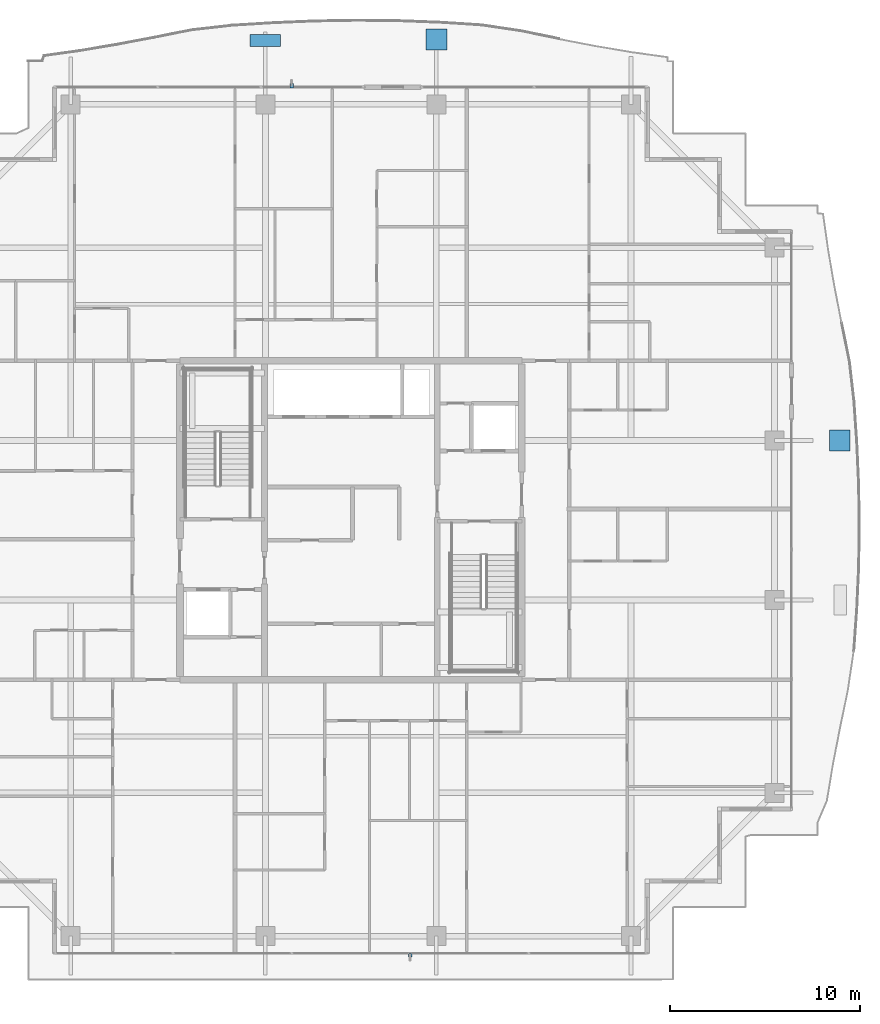
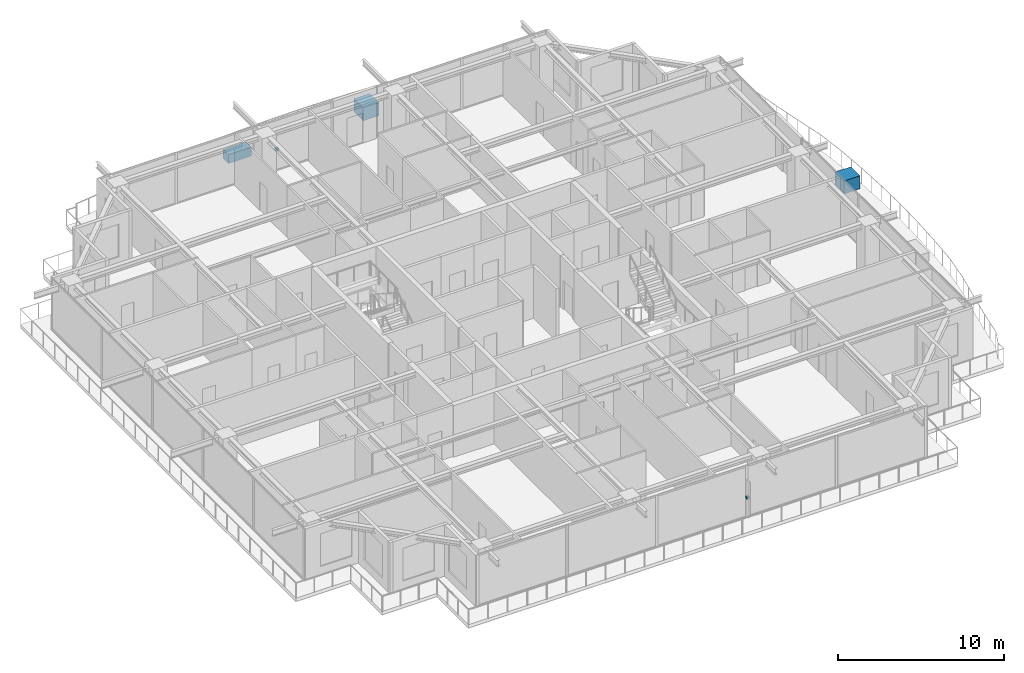
# One storey, part 33 of 40: 5 discrete accessories.
"""IFC4 building model written with IfcOpenShell, lengths in metres."""

from ifc_helpers import new_model, si_unit, direction, frame, origin, origin_2d, place, context, subcontext, project, spatial, rectangle, extrude, source, transform, mapped, material, type_object, element, save


model = new_model("IFC4")

# Units and contexts
model_context = context("Model", 3, precision=1e-05, world=origin(), true_north=direction((0.0, 1.0)))
body_context = subcontext(model_context, "Body", "Model", "MODEL_VIEW")
ifc_project = project(units=[si_unit("LENGTHUNIT", "METRE"), si_unit("AREAUNIT", "SQUARE_METRE"), si_unit("VOLUMEUNIT", "CUBIC_METRE"), si_unit("PLANEANGLEUNIT", "RADIAN"), si_unit("MASSUNIT", "GRAM", prefix="KILO")], contexts=[model_context])

# Site, building, storey
site_placement = place(None, origin())
site = spatial("IfcSite", under=ifc_project, at=site_placement, CompositionType="ELEMENT")
building_placement = place(site_placement, origin())
building = spatial("IfcBuilding", under=site, at=building_placement, Name="Serunith Strait Residences", CompositionType="ELEMENT")
storey_placement = place(building_placement, frame((0.0, 0.0, 313.699951171875)))
storey = spatial("IfcBuildingStorey", under=building, at=storey_placement, Name="L78", CompositionType="ELEMENT", Elevation=313.699951171875)

# Discrete accessories
ifc_material_1 = material(Name="GFRC Root-Anchored Structural Planter")
discrete_accessory_type_1 = type_object("IfcDiscreteAccessoryType", Name="ACC-PLANTER-TREE", PredefinedType="USERDEFINED", material=ifc_material_1)
shared_shape_1 = source(origin(), body_context, "Body", "SweptSolid", [
    extrude(rectangle(XDim=1.10009765625, YDim=1.10009765625, at=origin_2d()), origin(), (0.0, 0.0, 1.0), 0.949951171875),
])
for number, where, z_axis, x_axis, name in (
    (1, (36.89990234375, 50.5166015625, -0.0498046875), (0.0, 0.0, 1.0), (-1.0, 0.0, 0.0), "L78 Vertical-Forest Tree Planter 07"),
    (2, (58.135009765625, 29.39990234375, -0.0498046875), (0.0, 0.0, 1.0), (0.0, 1.0, 0.0), "L78 Vertical-Forest Tree Planter 11"),
):
    element("IfcDiscreteAccessory", number, at=place(storey_placement, frame(where, z_axis=z_axis, x_axis=x_axis)), inside=storey, type_object=discrete_accessory_type_1, Name=name, ObjectType="PLANTER", PredefinedType="USERDEFINED", context=body_context, shape_type="MappedRepresentation", body=[
        mapped(shared_shape_1, transform((0.0, 0.0, 0.0), scale=1.0)),
    ])
ifc_material_2 = material(Name="GFRC Irrigated Shrub Trough Planter")
discrete_accessory_type_2 = type_object("IfcDiscreteAccessoryType", Name="ACC-PLANTER-SHRUB", PredefinedType="USERDEFINED", material=ifc_material_2)
shared_shape_2 = source(origin(), body_context, "Body", "SweptSolid", [
    extrude(rectangle(XDim=1.60009765625, YDim=0.64990234375, at=origin_2d()), origin(), (0.0, 0.0, 1.0), 0.64990234375),
])
discrete_accessory_placement = place(storey_placement, frame((27.89990234375, 50.4619140625, -0.0498046875), z_axis=(0.0, 0.0, 1.0), x_axis=(-1.0, 0.0, 0.0)))
element("IfcDiscreteAccessory", 3, at=discrete_accessory_placement, inside=storey, type_object=discrete_accessory_type_2, Name="L78 Vertical-Forest Shrub Planter 06", ObjectType="PLANTER", PredefinedType="USERDEFINED", context=body_context, shape_type="MappedRepresentation", body=[
    mapped(shared_shape_2, transform((0.0, 0.0, 0.0), scale=1.0)),
])
ifc_material_3 = material(Name="Stainless Steel Facade Cleat Bracket", Category="steel")
discrete_accessory_type_3 = type_object("IfcDiscreteAccessoryType", Name="ACC-FIN-BRACKET", PredefinedType="USERDEFINED", material=ifc_material_3)
shared_shape_3 = source(origin(), body_context, "Body", "SweptSolid", [
    extrude(rectangle(XDim=0.179931640625, YDim=0.219970703125, at=origin_2d()), origin(), (0.0, 0.0, 1.0), 0.179931640625),
])
for number, where, z_axis, x_axis, name in (
    (4, (35.52001953125, 2.320068359375, 1.41015625), (0.0, 0.0, 1.0), (1.0, 0.0, 0.0), "L78 Solar Fin Cleat Bracket S"),
    (5, (29.280029296875, 48.080078125, 1.41015625), (0.0, 0.0, 1.0), (1.0, 0.0, 0.0), "L78 Solar Fin Cleat Bracket N"),
):
    element("IfcDiscreteAccessory", number, at=place(storey_placement, frame(where, z_axis=z_axis, x_axis=x_axis)), inside=storey, type_object=discrete_accessory_type_3, Name=name, ObjectType="BRACKET", PredefinedType="USERDEFINED", context=body_context, shape_type="MappedRepresentation", body=[
        mapped(shared_shape_3, transform((0.0, 0.0, 0.0), scale=1.0)),
    ])

save(model, "model.ifc")
